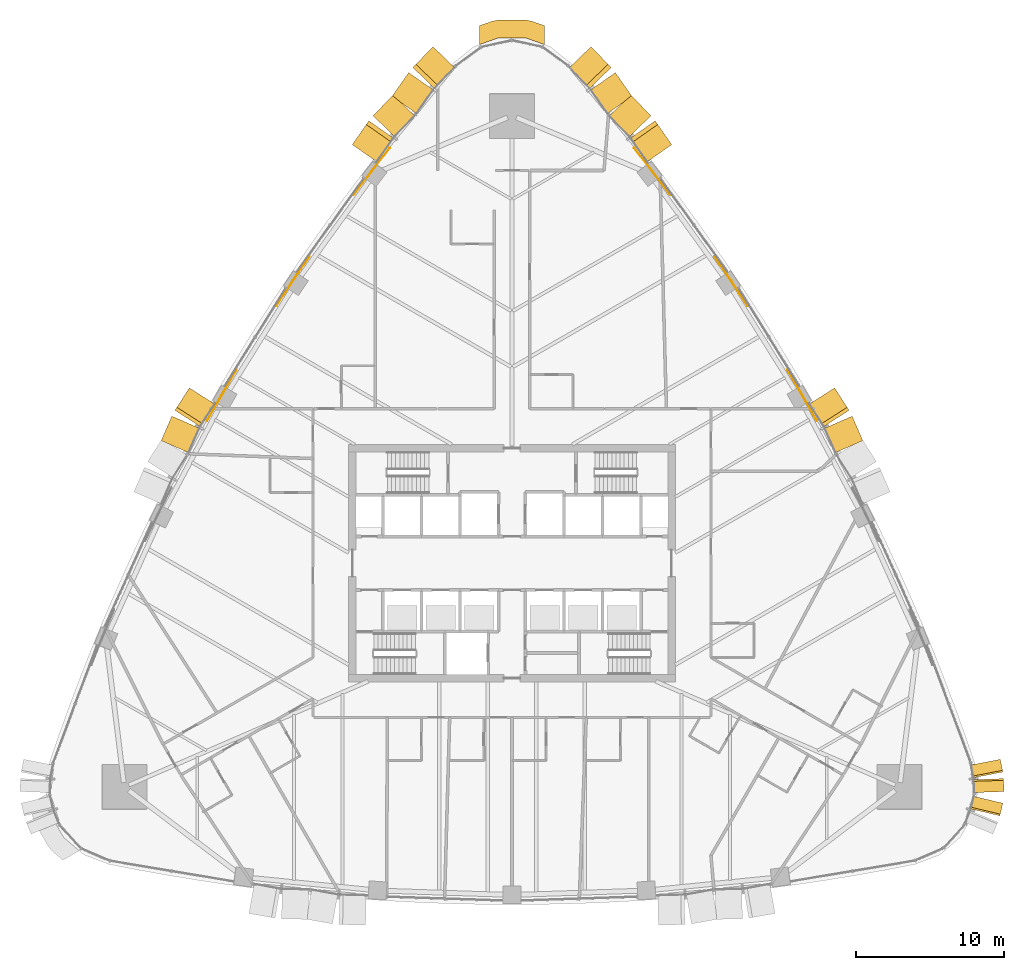
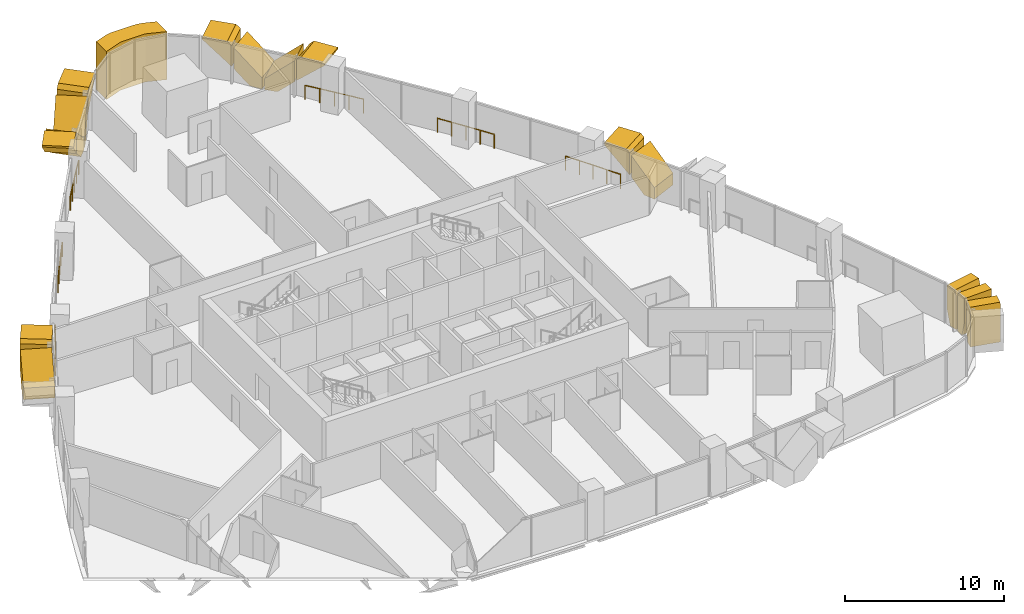
# One storey, part 17 of 18: 16 coverings, 6 railings.
"""IFC4 building model written with IfcOpenShell, lengths in metres."""

import ifcopenshell
import ifcopenshell.guid

model = None  # the IFC model being written
_history = None  # IfcOwnerHistory: only IFC2X3 demands one
_inside = {}  # id of a spatial element -> (the spatial element, [elements in it])
_under = {}  # id of a project, library or spatial element -> (it, [spatial elements below it])
_declared = {}  # id of a project -> (the project, [libraries it declares])
_typed = {}  # id of a type object -> (the type object, [elements of that type])
_made_of = {}  # id of a material, layer set ... -> (it, [elements and type objects made of it])


def new_model(schema):
    """Start an empty IFC model of exactly this schema.

    Asked for "IFC4X3", IfcOpenShell would pick the latest addendum, in which some entities
    have other attributes; the version numbers below select the first issue.
    IFC2X3 requires an IfcOwnerHistory on every rooted entity: one is made here for all.
    """
    global model, _history
    if schema == "IFC4X3":
        model = ifcopenshell.file(schema_version=(4, 3, 0, 0))
    else:
        model = ifcopenshell.file(schema=schema)
    _inside.clear()
    _under.clear()
    _declared.clear()
    _typed.clear()
    _made_of.clear()
    _history = None
    if model.schema == "IFC2X3":
        org = make("IfcOrganization", Name="unknown")
        user = make(
            "IfcPersonAndOrganization",
            ThePerson=make("IfcPerson", FamilyName="unknown"),
            TheOrganization=org,
        )
        app = make(
            "IfcApplication",
            ApplicationDeveloper=org,
            Version="unknown",
            ApplicationFullName="unknown",
            ApplicationIdentifier="unknown",
        )
        _history = make(
            "IfcOwnerHistory",
            OwningUser=user,
            OwningApplication=app,
            ChangeAction="ADDED",
            CreationDate=0,
        )
    return model


def make(cls, **values):
    """One entity of the class cls with the attributes given. An attribute that is None is left unset."""
    return model.create_entity(
        cls, **{name: value for name, value in values.items() if value is not None}
    )


def rooted(cls, **values):
    """An entity with a GlobalId (a new one), such as an element, a storey or a relation."""
    return make(cls, GlobalId=ifcopenshell.guid.new(), OwnerHistory=_history, **values)


def si_unit(unit_type, name, prefix=None):
    """IfcSIUnit, for example si_unit("LENGTHUNIT", "METRE", prefix="MILLI")."""
    return make("IfcSIUnit", UnitType=unit_type, Prefix=prefix, Name=name)


def assignment(units):
    """IfcUnitAssignment: the units of a project."""
    return None if units is None else make("IfcUnitAssignment", Units=units)


def point(xyz):
    """IfcCartesianPoint."""
    return None if xyz is None else make("IfcCartesianPoint", Coordinates=xyz)


def direction(xyz):
    """IfcDirection."""
    return None if xyz is None else make("IfcDirection", DirectionRatios=xyz)


def frame(location, z_axis=None, x_axis=None):
    """IfcAxis2Placement3D, a coordinate frame: its origin and axes. An axis left out is left unset."""
    return make(
        "IfcAxis2Placement3D",
        Location=point(location),
        Axis=direction(z_axis),
        RefDirection=direction(x_axis),
    )


def frame_2d(location, x_axis=None):
    """IfcAxis2Placement2D, a coordinate frame in the plane: its origin and x axis."""
    return make(
        "IfcAxis2Placement2D", Location=point(location), RefDirection=direction(x_axis)
    )


def origin():
    """The frame at (0, 0, 0) with its axes left unset."""
    return frame((0.0, 0.0, 0.0))


def origin_2d():
    """The frame at (0, 0) in the plane with its x axis left unset."""
    return frame_2d((0.0, 0.0))


def place(relative_to, where):
    """IfcLocalPlacement: puts the frame where relative to a parent placement (None: the world)."""
    return make(
        "IfcLocalPlacement", PlacementRelTo=relative_to, RelativePlacement=where
    )


def context(
    kind, dimensions, precision=None, world=None, true_north=None, identifier=None
):
    """IfcGeometricRepresentationContext, for example the 3D "Model" context."""
    return make(
        "IfcGeometricRepresentationContext",
        ContextIdentifier=identifier,
        ContextType=kind,
        CoordinateSpaceDimension=dimensions,
        Precision=precision,
        WorldCoordinateSystem=world,
        TrueNorth=true_north,
    )


def subcontext(parent, identifier, kind, view, scale=None):
    """IfcGeometricRepresentationSubContext, for example "Body" below "Model"."""
    return make(
        "IfcGeometricRepresentationSubContext",
        ContextIdentifier=identifier,
        ContextType=kind,
        ParentContext=parent,
        TargetScale=scale,
        TargetView=view,
    )


def project(units=None, contexts=None):
    """IfcProject with its units and contexts."""
    return rooted(
        "IfcProject",
        Name="project",
        RepresentationContexts=contexts,
        UnitsInContext=assignment(units),
    )


def spatial(cls, under=None, at=None, **own):
    """A site, building, storey or space (cls), placed at a placement, below another one or the project."""
    s = rooted(cls, ObjectPlacement=at, **own)
    if under is not None:
        _under.setdefault(under.id(), (under, []))[1].append(s)
    return s


def polyline(points):
    """IfcPolyline through the points."""
    return make("IfcPolyline", Points=[point(p) for p in points])


def profile(cls, at=None, kind="AREA", **sizes):
    """A parametric profile (cls). Its sizes go by their IFC names, for example OverallWidth=200.0."""
    return make(cls, ProfileType=kind, Position=at, **sizes)


def circle(**sizes):
    """IfcCircleProfileDef."""
    return profile("IfcCircleProfileDef", **sizes)


def outline(outer, holes=None, kind="AREA"):
    """IfcArbitraryClosedProfileDef: a profile drawn as a closed curve; with holes, ...WithVoids."""
    if holes is None:
        return make("IfcArbitraryClosedProfileDef", ProfileType=kind, OuterCurve=outer)
    return make(
        "IfcArbitraryProfileDefWithVoids",
        ProfileType=kind,
        OuterCurve=outer,
        InnerCurves=holes,
    )


def extrude(swept, where, along, depth):
    """IfcExtrudedAreaSolid: the profile swept, set in the frame where, extruded along a direction by depth."""
    return make(
        "IfcExtrudedAreaSolid",
        SweptArea=swept,
        Position=where,
        ExtrudedDirection=direction(along),
        Depth=depth,
    )


def shape(context_of_items, identifier, shape_type, items):
    """IfcShapeRepresentation: the items that make up one representation, for example the "Body"."""
    return make(
        "IfcShapeRepresentation",
        ContextOfItems=context_of_items,
        RepresentationIdentifier=identifier,
        RepresentationType=shape_type,
        Items=items,
    )


def material(Name=None, Category=None):
    """IfcMaterial."""
    return make("IfcMaterial", Name=Name, Category=Category)


def layer(
    of_material, thickness, ventilated=None, Name=None, Category=None, Priority=None
):
    """IfcMaterialLayer: one layer of a wall or slab, of a material (None: an air gap)."""
    return make(
        "IfcMaterialLayer",
        Material=of_material,
        LayerThickness=thickness,
        IsVentilated=ventilated,
        Name=Name,
        Category=Category,
        Priority=Priority,
    )


def layer_set(layers, Name=None):
    """IfcMaterialLayerSet."""
    return make("IfcMaterialLayerSet", MaterialLayers=layers, LayerSetName=Name)


def made_of(thing, what):
    """Note that an element or type object is made of a material, layer set ...; save() writes the relation."""
    if what is not None:
        _made_of.setdefault(what.id(), (what, []))[1].append(thing)
    return thing


def type_object(cls, material=None, **own):
    """A type object (cls), such as IfcWallType, which elements share."""
    return made_of(rooted(cls, **own), material)


def element(
    cls,
    number,
    at=None,
    inside=None,
    cuts=None,
    type_object=None,
    material=None,
    context=None,
    identifier="Body",
    shape_type=None,
    held_by="IfcProductDefinitionShape",
    body=None,
    shapes=None,
    **own,
):
    """One element of the class cls, such as IfcWall. Its Tag is "e" and its number.

    at: its placement. inside: the storey or other place that contains it. cuts: it is an
    opening in that element (IfcRelVoidsElement). A single representation is given by context,
    identifier, shape_type and body (its items); several are given by shapes. held_by: the class
    of the entity that holds the representations. save() writes the other relations.
    """
    e = rooted(cls, Tag="e%d" % number, ObjectPlacement=at, **own)
    if body is not None:
        shapes = [shape(context, identifier, shape_type, body)]
    if shapes is not None:
        e.Representation = make(held_by, Representations=shapes)
    if inside is not None:
        _inside.setdefault(inside.id(), (inside, []))[1].append(e)
    if cuts is not None:
        rooted(
            "IfcRelVoidsElement", RelatingBuildingElement=cuts, RelatedOpeningElement=e
        )
    if type_object is not None:
        _typed.setdefault(type_object.id(), (type_object, []))[1].append(e)
    return made_of(e, material)


def aggregate(whole, parts):
    """IfcRelAggregates: a whole, such as a stair, and the parts it consists of."""
    return rooted("IfcRelAggregates", RelatingObject=whole, RelatedObjects=parts)


def save(model, path):
    """Write the relations noted so far, then the file.

    IfcRelAggregates (storeys below a building ...), IfcRelContainedInSpatialStructure (elements
    in a storey), IfcRelDefinesByType, IfcRelAssociatesMaterial and IfcRelDeclares: one each for
    every whole, place, type object, material and project.
    """
    for whole, parts in _under.values():
        aggregate(whole, parts)
    for where, things in _inside.values():
        rooted(
            "IfcRelContainedInSpatialStructure",
            RelatedElements=things,
            RelatingStructure=where,
        )
    for kind, things in _typed.values():
        rooted("IfcRelDefinesByType", RelatedObjects=things, RelatingType=kind)
    for what, things in _made_of.values():
        rooted("IfcRelAssociatesMaterial", RelatedObjects=things, RelatingMaterial=what)
    for by, libraries in _declared.values():
        rooted("IfcRelDeclares", RelatingContext=by, RelatedDefinitions=libraries)
    model.write(path)


model = new_model("IFC4")

# Units and contexts
model_context = context("Model", 3, precision=1e-05, world=origin(), true_north=direction((0.0, 1.0)))
body_context = subcontext(model_context, "Body", "Model", "MODEL_VIEW")
ifc_project = project(units=[si_unit("LENGTHUNIT", "METRE"), si_unit("AREAUNIT", "SQUARE_METRE"), si_unit("VOLUMEUNIT", "CUBIC_METRE"), si_unit("PLANEANGLEUNIT", "RADIAN"), si_unit("MASSUNIT", "GRAM", prefix="KILO")], contexts=[model_context])

# Site, building, storey
site_placement = place(None, origin())
site = spatial("IfcSite", under=ifc_project, at=site_placement, CompositionType="ELEMENT")
building_placement = place(site_placement, origin())
building = spatial("IfcBuilding", under=site, at=building_placement, Name="Sierra Prisma Convention Tower", CompositionType="ELEMENT")
storey_placement = place(building_placement, frame((0.0, 0.0, 85.0)))
storey = spatial("IfcBuildingStorey", under=building, at=storey_placement, Name="L17", CompositionType="ELEMENT", Elevation=85.0)

# Coverings
ifc_material_1 = material(Name="Aluminium composite bronze anodised", Category="aluminium")
ifc_layer_1 = layer(ifc_material_1, 1.199951171875)
ifc_layer_set_1 = layer_set([ifc_layer_1], Name="Bronze corner pier")
covering_type_1 = type_object("IfcCoveringType", Name="Bronze corner pier", PredefinedType="CLADDING", material=ifc_layer_set_1)
covering_1_placement = place(storey_placement, frame((0.0, 0.0, -0.60009765625)))
element("IfcCovering", 1, at=covering_1_placement, inside=storey, type_object=covering_type_1, Name="Corner pier N L17.1", PredefinedType="CLADDING", context=body_context, shape_type="SweptSolid", body=[
    extrude(outline(polyline([(-0.897216796875, 36.588134765625), (0.897216796875, 36.588134765625), (1.29638671875, 36.519775390625), (2.199951171875, 36.20068359375), (2.199951171875, 34.92822265625), (0.897216796875, 35.38818359375), (-0.897216796875, 35.38818359375), (-2.199951171875, 34.92822265625), (-2.199951171875, 36.20068359375), (-1.29638671875, 36.519775390625), (-0.897216796875, 36.588134765625)])), origin(), (0.0, 0.0, 1.0), 3.7001953125),
])
ifc_material_2 = material(Name="Aluminium 6063-T6 bronze anodised", Category="aluminium")
ifc_layer_2 = layer(ifc_material_2, 2.0)
ifc_layer_set_2 = layer_set([ifc_layer_2], Name="Bronze crystal chevron frame")
covering_type_2 = type_object("IfcCoveringType", Name="Bronze crystal chevron frame", PredefinedType="CLADDING", material=ifc_layer_set_2)
covering_2_placement = place(storey_placement, frame((32.9873046875, -16.473876953125, 0.0), z_axis=(0.97299737106, -0.230816194606, 1.4730465e-05), x_axis=(0.060111664759, 0.25346017768, 0.965476320834)))
element("IfcCovering", 2, at=covering_2_placement, inside=storey, type_object=covering_type_2, Name="CW-2 chevron frame SE3.1.2", PredefinedType="CLADDING", context=body_context, shape_type="SweptSolid", body=[
    extrude(outline(polyline([(0.0, 0.0), (1.2175721798898569, 5.551115123125783e-17), (2.9597195156517278, 0.47004095245397376), (2.7628440528892066, 1.1997349593670306), (2.3102070185654915, 1.199729654716666), (-0.1449690941791502, 0.5373096086118643), (0.0, 0.0)])), origin(), (0.0, 0.0, -1.0), 2.0),
])
covering_3_placement = place(storey_placement, frame((33.138916015625, -15.380859375, 2.97998046875), z_axis=(0.999418647358, 0.03409350695, -9.881728e-06), x_axis=(-9.875983e-06, -3.36903e-07, -0.999999999951)))
element("IfcCovering", 3, at=covering_3_placement, inside=storey, type_object=covering_type_2, Name="CW-2 chevron frame SE4.1.1", PredefinedType="CLADDING", context=body_context, shape_type="SweptSolid", body=[
    extrude(outline(polyline([(0.0, 0.0), (1.8044433592868994, 0.0), (2.9799804678492734, 0.3173205413297976), (2.9799804685480527, 0.8737988060598079), (0.4370117186722115, 0.8737988060598079), (-1.318092562790953e-09, 0.7558059358655954), (0.0, 0.0)])), origin(), (0.0, 0.0, -1.0), 2.0),
])
covering_4_placement = place(storey_placement, frame((33.0595703125, -14.06689453125, 0.0), z_axis=(0.981786441339, 0.189987851065, 7.053121e-06), x_axis=(-0.18998785107, 0.981786441364, 3.43e-10)))
element("IfcCovering", 4, at=covering_4_placement, inside=storey, type_object=covering_type_2, Name="CW-2 chevron frame SE4.1.2", PredefinedType="CLADDING", context=body_context, shape_type="SweptSolid", body=[
    extrude(outline(polyline([(0.0, 0.0), (0.5562795431748392, 1.0587911840678754e-22), (0.8738255115551902, 1.175537109041956), (0.8738255121735535, 2.979980468372074), (0.11788224113470432, 2.9799804691006004), (8.714481578562679e-10, 2.5429687499367484), (0.0, 0.0)])), origin(), (0.0, 0.0, -1.0), 2.0),
])
covering_5_placement = place(storey_placement, frame((23.630859375, 8.25390625, 0.0), z_axis=(0.916378524196, 0.400312878124, 9.66362e-07), x_axis=(-0.400312878124, 0.916378524196, -3e-12)))
element("IfcCovering", 5, at=covering_5_placement, inside=storey, type_object=covering_type_2, Name="CW-2 chevron frame NE3.2.1", PredefinedType="CLADDING", context=body_context, shape_type="SweptSolid", body=[
    extrude(outline(polyline([(0.0, 0.0), (0.8056498948171961, 0.0), (1.799127725671735, 0.955078125005774), (1.7991277256668048, 2.6198730468799964), (-2.636147535514273e-12, 0.8901367187495843), (0.0, 0.0)])), origin(), (0.0, 0.0, -1.0), 2.0),
])
covering_6_placement = place(storey_placement, frame((21.732421875, 11.8095703125, 2.97998046875), z_axis=(0.842498355142, 0.538698911539, -6.5495154e-05), x_axis=(0.538698912695, -0.842498356949, 5.062e-09)))
element("IfcCovering", 6, at=covering_6_placement, inside=storey, type_object=covering_type_2, Name="CW-2 chevron frame NE3.2.2", PredefinedType="CLADDING", context=body_context, shape_type="SweptSolid", body=[
    extrude(outline(polyline([(0.0, 0.0), (1.554755775021048, 0.0), (1.799244867387393, 0.2351074314871018), (1.799244858960142, 1.899902349791437), (-8.60150583614727e-10, 0.16992187463555025), (0.0, 0.0)])), origin(), (0.0, 0.0, -1.0), 2.0),
])
covering_7_placement = place(storey_placement, frame((10.76220703125, 28.195068359375, 2.97998046875), z_axis=(0.819083181438, 0.573674767906, -5.0536148e-05), x_axis=(-4.1393309e-05, -2.8991313e-05, -0.999999998723)))
element("IfcCovering", 7, at=covering_7_placement, inside=storey, type_object=covering_type_2, Name="CW-2 chevron frame NE6.1.1", PredefinedType="CLADDING", context=body_context, shape_type="SweptSolid", body=[
    extrude(outline(polyline([(0.0, 0.0), (0.13671874982541685, 0.0), (1.8754882795415793, 1.952936163309333), (0.268798828468243, 1.952936163309333), (-4.452494155164112e-09, 1.6509243592103868), (0.0, 0.0)])), origin(), (0.0, 0.0, -1.0), 2.0),
])
covering_8_placement = place(storey_placement, frame((9.35986328125, 30.13671875, 2.595458984375), z_axis=(0.719313644528, 0.694685454572, -1.436305e-06), x_axis=(-1.033154e-06, -9.9778e-07, -0.999999999999)))
element("IfcCovering", 8, at=covering_8_placement, inside=storey, type_object=covering_type_2, Name="CW-2 chevron frame NE6.1.2", PredefinedType="CLADDING", context=body_context, shape_type="SweptSolid", body=[
    extrude(outline(polyline([(0.0, 0.0), (1.6066894531233427, -3.402297257007172e-22), (2.5954589843794444, 1.1105469436883664), (2.5954589843743623, 1.9529535599800965), (1.7387695312502462, 1.9529535599800965), (0.0, 0.0)])), origin(), (0.0, 0.0, -1.0), 2.0),
])
covering_9_placement = place(storey_placement, frame((8.082275390625, 31.445556640625, 0.0), z_axis=(0.819065552862, 0.57369993717, -4.6954631e-05), x_axis=(-0.573699937803, 0.819065553765, -6.447e-09)))
element("IfcCovering", 9, at=covering_9_placement, inside=storey, type_object=covering_type_2, Name="CW-2 chevron frame NE6.2.1", PredefinedType="CLADDING", context=body_context, shape_type="SweptSolid", body=[
    extrude(outline(polyline([(0.0, 0.0), (0.8424328935035734, 0.0), (1.952936156430191, 0.9887695449304255), (1.9529361460719812, 2.595458996284261), (-5.5230144779605275e-09, 0.8566894521806122), (0.0, 0.0)])), origin(), (0.0, 0.0, -1.0), 2.0),
])
covering_10_placement = place(storey_placement, frame((5.322998046875, 34.7919921875, 2.97998046875), z_axis=(0.719244847846, 0.694756680526, -6.0922272e-05), x_axis=(0.694756681816, -0.71924484918, 3.919e-09)))
element("IfcCovering", 10, at=covering_10_placement, inside=storey, type_object=covering_type_2, Name="CW-2 chevron frame NE6.2.2", PredefinedType="CLADDING", context=body_context, shape_type="SweptSolid", body=[
    extrude(outline(polyline([(0.0, 0.0), (1.651139793521755, 0.0), (1.9531231678223997, 0.2687988362779782), (1.9531231615258973, 1.8754882864213458), (-5.357911154712819e-10, 0.1367187497462826), (0.0, 0.0)])), origin(), (0.0, 0.0, -1.0), 2.0),
])
covering_11_placement = place(storey_placement, frame((-5.322998046875, 34.7919921875, 2.97998046875), z_axis=(-0.719244847846, 0.694756680526, -6.0922272e-05), x_axis=(4.3818031e-05, -4.2326156e-05, -0.999999998144)))
element("IfcCovering", 11, at=covering_11_placement, inside=storey, type_object=covering_type_2, Name="CW-2 chevron frame NW1.1.1", PredefinedType="CLADDING", context=body_context, shape_type="SweptSolid", body=[
    extrude(outline(polyline([(0.0, 0.0), (0.1367187497462826, 0.0), (1.8754882787671938, 1.953123168875803), (0.2687988286238266, 1.953123168875803), (-6.470700130104131e-09, 1.6511397935217549), (0.0, 0.0)])), origin(), (0.0, 0.0, -1.0), 2.0),
])
covering_12_placement = place(storey_placement, frame((-6.9619140625, 33.045166015625, 2.595458984375), z_axis=(-0.819065552862, 0.57369993717, -4.6954631e-05), x_axis=(3.8458921e-05, -2.6937869e-05, -0.999999998898)))
element("IfcCovering", 12, at=covering_12_placement, inside=storey, type_object=covering_type_2, Name="CW-2 chevron frame NW1.1.2", PredefinedType="CLADDING", context=body_context, shape_type="SweptSolid", body=[
    extrude(outline(polyline([(0.0, 0.0), (1.606689451353836, 0.0), (2.595458989124928, 1.110503269301143), (2.5954589836938244, 1.9529361628047166), (1.7387695315132121, 1.9529361628047166), (0.0, 0.0)])), origin(), (0.0, 0.0, -1.0), 2.0),
])
covering_13_placement = place(storey_placement, frame((-8.58837890625, 30.935546875, 0.0), z_axis=(-0.719313644528, 0.694685454572, -1.436305e-06), x_axis=(-0.51883984913, -0.537232534879, 0.664970987655)))
element("IfcCovering", 13, at=covering_13_placement, inside=storey, type_object=covering_type_2, Name="CW-2 chevron frame NW1.2.1", PredefinedType="CLADDING", context=body_context, shape_type="SweptSolid", body=[
    extrude(outline(polyline([(0.0, 0.0), (1.4869363470155614, 0.0), (2.5553382195149927, 1.199986848935227), (-0.05949391461214293, 1.2000109167832642), (-0.629167546370311, 0.5601759596470065), (0.0, 0.0)])), origin(), (0.0, 0.0, -1.0), 2.0),
])
covering_14_placement = place(storey_placement, frame((-10.76220703125, 28.195068359375, 2.97998046875), z_axis=(-0.819083181438, 0.573674767906, -5.0536148e-05), x_axis=(0.573674768638, 0.819083182484, 2.697e-09)))
element("IfcCovering", 14, at=covering_14_placement, inside=storey, type_object=covering_type_2, Name="CW-2 chevron frame NW1.2.2", PredefinedType="CLADDING", context=body_context, shape_type="SweptSolid", body=[
    extrude(outline(polyline([(0.0, 0.0), (1.6509243592103866, 0.0), (1.9529361625843904, 0.268798833735254), (1.9529361582511966, 1.87548828480859), (-3.6872642353496343e-10, 0.13671874982541682), (0.0, 0.0)])), origin(), (0.0, 0.0, -1.0), 2.0),
])
covering_15_placement = place(storey_placement, frame((-21.732421875, 11.8095703125, 2.97998046875), z_axis=(-0.842505461231, 0.538687800623, 3.5438233e-05), x_axis=(-2.9856905e-05, 1.9090144e-05, -0.999999999372)))
element("IfcCovering", 15, at=covering_15_placement, inside=storey, type_object=covering_type_2, Name="CW-2 chevron frame NW4.1.1", PredefinedType="CLADDING", context=body_context, shape_type="SweptSolid", body=[
    extrude(outline(polyline([(0.0, 0.0), (0.16992187489330024, 0.0), (1.8999023428522506, 1.7992448686241156), (0.235107422022632, 1.7992448686241156), (-2.304162764857646e-09, 1.5546242577245635), (0.0, 0.0)])), origin(), (0.0, 0.0, -1.0), 2.0),
])
covering_16_placement = place(storey_placement, frame((-22.91064453125, 9.902587890625, 2.619873046875), z_axis=(-0.916378524196, 0.400312878124, 9.66362e-07), x_axis=(-8.85554e-07, 3.86847e-07, -1.0)))
element("IfcCovering", 16, at=covering_16_placement, inside=storey, type_object=covering_type_2, Name="CW-2 chevron frame NW4.1.2", PredefinedType="CLADDING", context=body_context, shape_type="SweptSolid", body=[
    extrude(outline(polyline([(0.0, 0.0), (1.6647949218742228, 0.0), (2.619873046877055, 0.9934778308573674), (2.6198730468746687, 1.7991277256745635), (1.7297363281250844, 1.7991277256745635), (0.0, 0.0)])), origin(), (0.0, 0.0, -1.0), 2.0),
])

# Railings
ifc_material_3 = material(Name="Bronze anodised aluminium", Category="aluminium")
railing_type = type_object("IfcRailingType", Name="Facade guard 1100", PredefinedType="GUARDRAIL", material=ifc_material_3)
railing_1_placement = place(storey_placement, frame((20.551025390625, 9.569091796875, 0.0)))
element("IfcRailing", 17, at=railing_1_placement, inside=storey, type_object=railing_type, Name="Facade guard", PredefinedType="GUARDRAIL", context=body_context, shape_type="SweptSolid", body=[
    extrude(circle(Radius=0.02392578125, at=origin_2d()), frame((0.0, 0.0, 1.076171875), z_axis=(-0.493179548971, 0.869927544383, 0.0), x_axis=(-0.869927544383, -0.493179548971, 0.0)), (0.0, 0.0, 1.0), 0.99609375),
    extrude(circle(Radius=0.02392578125, at=origin_2d()), frame((-0.4912109375, 0.866455078125, 1.076171875), z_axis=(-0.493895814385, 0.869521089182, 0.0), x_axis=(-0.869521089182, -0.493895814385, 0.0)), (0.0, 0.0, 1.0), 0.9970703125),
    extrude(circle(Radius=0.02392578125, at=origin_2d()), frame((-0.983642578125, 1.7333984375, 1.076171875), z_axis=(-0.506228274225, 0.862399521322, 0.0), x_axis=(-0.862399521322, -0.506228274225, 0.0)), (0.0, 0.0, 1.0), 0.997314453125),
    extrude(circle(Radius=0.02392578125, at=origin_2d()), frame((-1.488525390625, 2.593505859375, 1.076171875), z_axis=(-0.506612850258, 0.862173659974, 0.0), x_axis=(-0.862173659974, -0.506612850258, 0.0)), (0.0, 0.0, 1.0), 0.99560546875),
    extrude(circle(Radius=0.02099609375, at=origin_2d()), origin(), (0.0, 0.0, 1.0), 1.052001953125),
    extrude(circle(Radius=0.02099609375, at=origin_2d()), frame((-0.4912109375, 0.866455078125, 0.0)), (0.0, 0.0, 1.0), 1.052001953125),
    extrude(circle(Radius=0.02099609375, at=origin_2d()), frame((-0.983642578125, 1.7333984375, 0.0)), (0.0, 0.0, 1.0), 1.052001953125),
    extrude(circle(Radius=0.02099609375, at=origin_2d()), frame((-1.488525390625, 2.593505859375, 0.0)), (0.0, 0.0, 1.0), 1.052001953125),
    extrude(circle(Radius=0.02099609375, at=origin_2d()), frame((-1.992919921875, 3.451904296875, 0.0)), (0.0, 0.0, 1.0), 1.052001953125),
])
railing_2_placement = place(storey_placement, frame((15.86328125, 17.344482421875, 0.0)))
element("IfcRailing", 18, at=railing_2_placement, inside=storey, type_object=railing_type, Name="Facade guard", PredefinedType="GUARDRAIL", context=body_context, shape_type="SweptSolid", body=[
    extrude(circle(Radius=0.02392578125, at=origin_2d()), frame((0.0, 0.0, 1.076171875), z_axis=(-0.546058053708, 0.837747337794, 0.0), x_axis=(-0.837747337794, -0.546058053708, 0.0)), (0.0, 0.0, 1.0), 0.994384765625),
    extrude(circle(Radius=0.02392578125, at=origin_2d()), frame((-0.54296875, 0.8330078125, 1.076171875), z_axis=(-0.554136731172, 0.832425662246, 0.0), x_axis=(-0.832425662246, -0.554136731172, 0.0)), (0.0, 0.0, 1.0), 1.0),
    extrude(circle(Radius=0.02392578125, at=origin_2d()), frame((-1.09716796875, 1.66552734375, 1.076171875), z_axis=(-0.558603826886, 0.829434605372, 0.0), x_axis=(-0.829434605372, -0.558603826886, 0.0)), (0.0, 0.0, 1.0), 0.994384765625),
    extrude(circle(Radius=0.02392578125, at=origin_2d()), frame((-1.652587890625, 2.490234375, 1.076171875), z_axis=(-0.56619719149, 0.824269822539, 0.0), x_axis=(-0.824269822539, -0.56619719149, 0.0)), (0.0, 0.0, 1.0), 1.0),
    extrude(circle(Radius=0.02099609375, at=origin_2d()), origin(), (0.0, 0.0, 1.0), 1.052001953125),
    extrude(circle(Radius=0.02099609375, at=origin_2d()), frame((-0.54296875, 0.8330078125, 0.0)), (0.0, 0.0, 1.0), 1.052001953125),
    extrude(circle(Radius=0.02099609375, at=origin_2d()), frame((-1.09716796875, 1.66552734375, 0.0)), (0.0, 0.0, 1.0), 1.052001953125),
    extrude(circle(Radius=0.02099609375, at=origin_2d()), frame((-1.652587890625, 2.490234375, 0.0)), (0.0, 0.0, 1.0), 1.052001953125),
    extrude(circle(Radius=0.02099609375, at=origin_2d()), frame((-2.21875, 3.314453125, 0.0)), (0.0, 0.0, 1.0), 1.052001953125),
])
railing_3_placement = place(storey_placement, frame((10.66845703125, 24.800048828125, 0.0)))
element("IfcRailing", 19, at=railing_3_placement, inside=storey, type_object=railing_type, Name="Facade guard", PredefinedType="GUARDRAIL", context=body_context, shape_type="SweptSolid", body=[
    extrude(circle(Radius=0.02392578125, at=origin_2d()), frame((0.0, 0.0, 1.076171875), z_axis=(-0.60058577641, 0.799560332416, 0.0), x_axis=(-0.799560332416, -0.60058577641, 0.0)), (0.0, 0.0, 1.0), 1.0),
    extrude(circle(Radius=0.02392578125, at=origin_2d()), frame((-0.6005859375, 0.799560546875, 1.076171875), z_axis=(-0.608297489431, 0.793709118224, 0.0), x_axis=(-0.793709118224, -0.608297489431, 0.0)), (0.0, 0.0, 1.0), 0.994140625),
    extrude(circle(Radius=0.02392578125, at=origin_2d()), frame((-1.205322265625, 1.588623046875, 1.076171875), z_axis=(-0.612079627671, 0.790796136428, 0.0), x_axis=(-0.790796136428, -0.612079627671, 0.0)), (0.0, 0.0, 1.0), 1.0),
    extrude(circle(Radius=0.02392578125, at=origin_2d()), frame((-1.8173828125, 2.37939453125, 1.076171875), z_axis=(-0.619922861849, 0.784662758997, 0.0), x_axis=(-0.784662758997, -0.619922861849, 0.0)), (0.0, 0.0, 1.0), 0.994384765625),
    extrude(circle(Radius=0.02099609375, at=origin_2d()), origin(), (0.0, 0.0, 1.0), 1.052001953125),
    extrude(circle(Radius=0.02099609375, at=origin_2d()), frame((-0.6005859375, 0.799560546875, 0.0)), (0.0, 0.0, 1.0), 1.052001953125),
    extrude(circle(Radius=0.02099609375, at=origin_2d()), frame((-1.205322265625, 1.588623046875, 0.0)), (0.0, 0.0, 1.0), 1.052001953125),
    extrude(circle(Radius=0.02099609375, at=origin_2d()), frame((-1.8173828125, 2.37939453125, 0.0)), (0.0, 0.0, 1.0), 1.052001953125),
    extrude(circle(Radius=0.02099609375, at=origin_2d()), frame((-2.433837890625, 3.15966796875, 0.0)), (0.0, 0.0, 1.0), 1.052001953125),
])
railing_4_placement = place(storey_placement, frame((-8.234619140625, 27.959716796875, 0.0)))
element("IfcRailing", 20, at=railing_4_placement, inside=storey, type_object=railing_type, Name="Facade guard", PredefinedType="GUARDRAIL", context=body_context, shape_type="SweptSolid", body=[
    extrude(circle(Radius=0.02392578125, at=origin_2d()), frame((0.0, 0.0, 1.076171875), z_axis=(-0.619922861849, -0.784662758997, 0.0), x_axis=(0.784662758997, -0.619922861849, 0.0)), (0.0, 0.0, 1.0), 0.994384765625),
    extrude(circle(Radius=0.02392578125, at=origin_2d()), frame((-0.616455078125, -0.7802734375, 1.076171875), z_axis=(-0.612079627671, -0.790796136428, 0.0), x_axis=(0.790796136428, -0.612079627671, 0.0)), (0.0, 0.0, 1.0), 1.0),
    extrude(circle(Radius=0.02392578125, at=origin_2d()), frame((-1.228515625, -1.571044921875, 1.076171875), z_axis=(-0.608297489431, -0.793709118224, 0.0), x_axis=(0.793709118224, -0.608297489431, 0.0)), (0.0, 0.0, 1.0), 0.994140625),
    extrude(circle(Radius=0.02392578125, at=origin_2d()), frame((-1.833251953125, -2.360107421875, 1.076171875), z_axis=(-0.60058577641, -0.799560332416, 0.0), x_axis=(0.799560332416, -0.60058577641, 0.0)), (0.0, 0.0, 1.0), 1.0),
    extrude(circle(Radius=0.02099609375, at=origin_2d()), origin(), (0.0, 0.0, 1.0), 1.052001953125),
    extrude(circle(Radius=0.02099609375, at=origin_2d()), frame((-0.616455078125, -0.7802734375, 0.0)), (0.0, 0.0, 1.0), 1.052001953125),
    extrude(circle(Radius=0.02099609375, at=origin_2d()), frame((-1.228515625, -1.571044921875, 0.0)), (0.0, 0.0, 1.0), 1.052001953125),
    extrude(circle(Radius=0.02099609375, at=origin_2d()), frame((-1.833251953125, -2.360107421875, 0.0)), (0.0, 0.0, 1.0), 1.052001953125),
    extrude(circle(Radius=0.02099609375, at=origin_2d()), frame((-2.433837890625, -3.15966796875, 0.0)), (0.0, 0.0, 1.0), 1.052001953125),
])
railing_5_placement = place(storey_placement, frame((-13.64453125, 20.658935546875, 0.0)))
element("IfcRailing", 21, at=railing_5_placement, inside=storey, type_object=railing_type, Name="Facade guard", PredefinedType="GUARDRAIL", context=body_context, shape_type="SweptSolid", body=[
    extrude(circle(Radius=0.02392578125, at=origin_2d()), frame((0.0, 0.0, 1.076171875), z_axis=(-0.56619719149, -0.824269822539, 0.0), x_axis=(0.824269822539, -0.56619719149, 0.0)), (0.0, 0.0, 1.0), 1.0),
    extrude(circle(Radius=0.02392578125, at=origin_2d()), frame((-0.566162109375, -0.82421875, 1.076171875), z_axis=(-0.558603826886, -0.829434605372, 0.0), x_axis=(0.829434605372, -0.558603826886, 0.0)), (0.0, 0.0, 1.0), 0.994384765625),
    extrude(circle(Radius=0.02392578125, at=origin_2d()), frame((-1.12158203125, -1.64892578125, 1.076171875), z_axis=(-0.554136731172, -0.832425662246, 0.0), x_axis=(0.832425662246, -0.554136731172, 0.0)), (0.0, 0.0, 1.0), 1.0),
    extrude(circle(Radius=0.02392578125, at=origin_2d()), frame((-1.67578125, -2.4814453125, 1.076171875), z_axis=(-0.546058053708, -0.837747337794, 0.0), x_axis=(0.837747337794, -0.546058053708, 0.0)), (0.0, 0.0, 1.0), 0.994384765625),
    extrude(circle(Radius=0.02099609375, at=origin_2d()), origin(), (0.0, 0.0, 1.0), 1.052001953125),
    extrude(circle(Radius=0.02099609375, at=origin_2d()), frame((-0.566162109375, -0.82421875, 0.0)), (0.0, 0.0, 1.0), 1.052001953125),
    extrude(circle(Radius=0.02099609375, at=origin_2d()), frame((-1.12158203125, -1.64892578125, 0.0)), (0.0, 0.0, 1.0), 1.052001953125),
    extrude(circle(Radius=0.02099609375, at=origin_2d()), frame((-1.67578125, -2.4814453125, 0.0)), (0.0, 0.0, 1.0), 1.052001953125),
    extrude(circle(Radius=0.02099609375, at=origin_2d()), frame((-2.21875, -3.314453125, 0.0)), (0.0, 0.0, 1.0), 1.052001953125),
])
railing_6_placement = place(storey_placement, frame((-18.55810546875, 13.02099609375, 0.0)))
element("IfcRailing", 22, at=railing_6_placement, inside=storey, type_object=railing_type, Name="Facade guard", PredefinedType="GUARDRAIL", context=body_context, shape_type="SweptSolid", body=[
    extrude(circle(Radius=0.02392578125, at=origin_2d()), frame((0.0, 0.0, 1.076171875), z_axis=(-0.506612850258, -0.862173659974, 0.0), x_axis=(0.862173659974, -0.506612850258, 0.0)), (0.0, 0.0, 1.0), 0.99560546875),
    extrude(circle(Radius=0.02392578125, at=origin_2d()), frame((-0.50439453125, -0.8583984375, 1.076171875), z_axis=(-0.506228274225, -0.862399521322, 0.0), x_axis=(0.862399521322, -0.506228274225, 0.0)), (0.0, 0.0, 1.0), 0.997314453125),
    extrude(circle(Radius=0.02392578125, at=origin_2d()), frame((-1.00927734375, -1.718505859375, 1.076171875), z_axis=(-0.493895814385, -0.869521089182, 0.0), x_axis=(0.869521089182, -0.493895814385, 0.0)), (0.0, 0.0, 1.0), 0.9970703125),
    extrude(circle(Radius=0.02392578125, at=origin_2d()), frame((-1.501708984375, -2.58544921875, 1.076171875), z_axis=(-0.493179548971, -0.869927544383, 0.0), x_axis=(0.869927544383, -0.493179548971, 0.0)), (0.0, 0.0, 1.0), 0.99609375),
    extrude(circle(Radius=0.02099609375, at=origin_2d()), origin(), (0.0, 0.0, 1.0), 1.052001953125),
    extrude(circle(Radius=0.02099609375, at=origin_2d()), frame((-0.50439453125, -0.8583984375, 0.0)), (0.0, 0.0, 1.0), 1.052001953125),
    extrude(circle(Radius=0.02099609375, at=origin_2d()), frame((-1.00927734375, -1.718505859375, 0.0)), (0.0, 0.0, 1.0), 1.052001953125),
    extrude(circle(Radius=0.02099609375, at=origin_2d()), frame((-1.501708984375, -2.58544921875, 0.0)), (0.0, 0.0, 1.0), 1.052001953125),
    extrude(circle(Radius=0.02099609375, at=origin_2d()), frame((-1.992919921875, -3.451904296875, 0.0)), (0.0, 0.0, 1.0), 1.052001953125),
])

save(model, "model.ifc")
